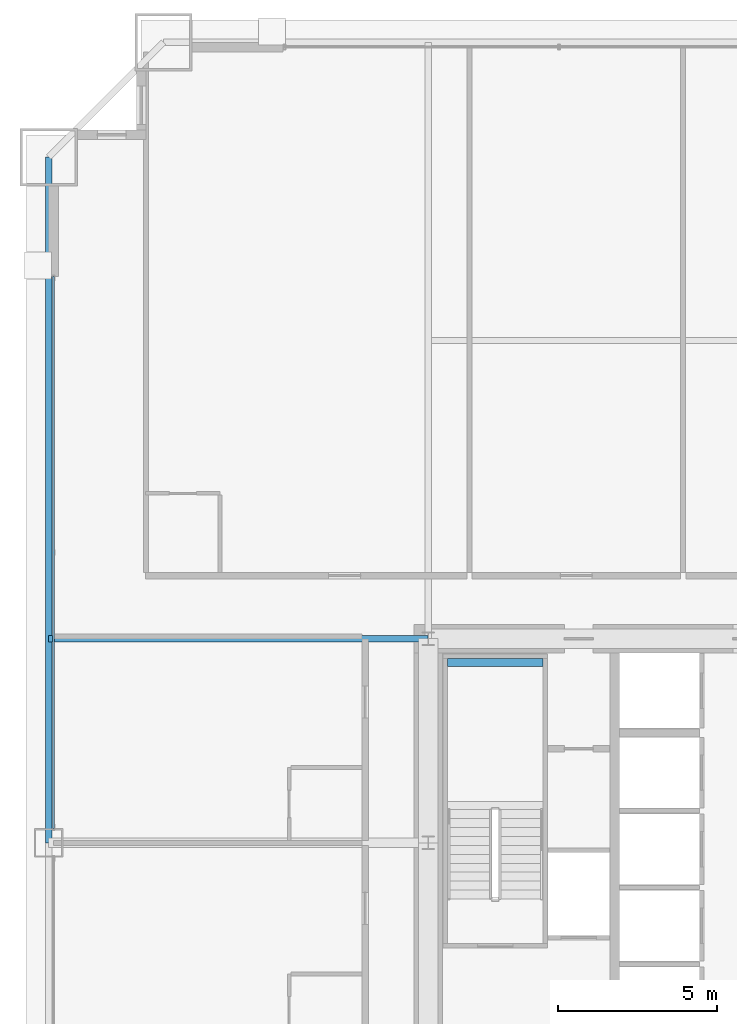
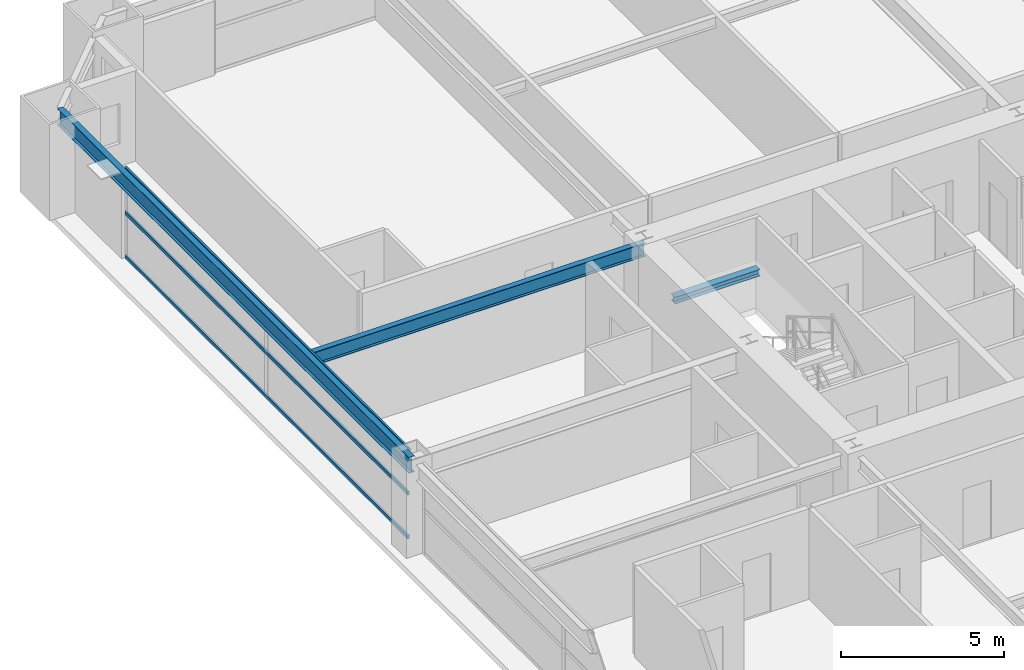
# One storey, part 23 of 43: 3 beams, 3 members, 1 element without a shape of its own.
"""IFC4 building model written with IfcOpenShell, lengths in metres."""

from ifc_helpers import new_model, si_unit, direction, frame, origin, origin_2d, place, context, subcontext, project, spatial, hollow_rectangle, i_section, extrude, source, transform, mapped, material, layer, layer_set, material_profile, profile_set, type_object, element, aggregate, save


model = new_model("IFC4")

# Units and contexts
model_context = context("Model", 3, precision=1e-05, world=origin(), true_north=direction((0.0, 1.0)))
body_context = subcontext(model_context, "Body", "Model", "MODEL_VIEW")
ifc_project = project(units=[si_unit("LENGTHUNIT", "METRE"), si_unit("AREAUNIT", "SQUARE_METRE"), si_unit("VOLUMEUNIT", "CUBIC_METRE"), si_unit("PLANEANGLEUNIT", "RADIAN"), si_unit("MASSUNIT", "GRAM", prefix="KILO"), si_unit("THERMODYNAMICTEMPERATUREUNIT", "KELVIN"), si_unit("POWERUNIT", "WATT")], contexts=[model_context])

# Site, building, storey
site_placement = place(None, origin())
site = spatial("IfcSite", under=ifc_project, at=site_placement, CompositionType="ELEMENT")
building_placement = place(site_placement, origin())
building = spatial("IfcBuilding", under=site, at=building_placement, Name="Yuzanri Waterfront Tower", CompositionType="ELEMENT")
storey_placement = place(building_placement, frame((0.0, 0.0, 64.0)))
storey = spatial("IfcBuildingStorey", under=building, at=storey_placement, Name="L16", CompositionType="ELEMENT", Elevation=64.0)

# Beams
ifc_material_1 = material(Name="Steel Q355B", Category="steel")
ifc_material_profile_1 = material_profile(ifc_material_1, i_section(OverallWidth=0.199951171875, OverallDepth=0.60009765625, WebThickness=0.010986328125, FlangeThickness=0.01708984375, at=origin_2d()), Name="HN 600x200x11x17")
ifc_profile_set_1 = profile_set([ifc_material_profile_1], Name="Steel Q355B")
beam_type_1 = type_object("IfcBeamType", Name="Perimeter Spandrel Q355B HN 600x200", PredefinedType="SPANDREL", material=ifc_profile_set_1)
shared_shape_1 = source(origin(), body_context, "Body", "SweptSolid", [
    extrude(i_section(OverallWidth=0.199951171875, OverallDepth=0.60009765625, WebThickness=0.010986328125, FlangeThickness=0.01708984375, at=origin_2d()), origin(), (0.0, 0.0, 1.0), 21.5),
])
beam_1_placement = place(storey_placement, frame((11.89990234375, 47.300048828125, 3.080078125), z_axis=(0.0, -1.0, 0.0), x_axis=(1.0, 0.0, 0.0)))
element("IfcBeam", 1, at=beam_1_placement, inside=storey, type_object=beam_type_1, Name="L16 Perimeter Spandrel W3-W2", PredefinedType="SPANDREL", context=body_context, shape_type="MappedRepresentation", body=[
    mapped(shared_shape_1, transform((0.0, 0.0, 0.0), scale=1.0)),
])
ifc_material_2 = material(Name="Steel Q355B", Category="steel")
ifc_material_profile_2 = material_profile(ifc_material_2, i_section(OverallWidth=0.199951171875, OverallDepth=0.5, WebThickness=0.010009765625, FlangeThickness=0.01611328125, at=origin_2d()), Name="HN 500x200x10x16")
ifc_profile_set_2 = profile_set([ifc_material_profile_2], Name="Steel Q355B")
beam_type_2 = type_object("IfcBeamType", Name="Secondary Floor Beam Q355B HN 500x200", PredefinedType="BEAM", material=ifc_profile_set_2)
shared_shape_2 = source(origin(), body_context, "Body", "SweptSolid", [
    extrude(i_section(OverallWidth=0.199951171875, OverallDepth=0.5, WebThickness=0.010009765625, FlangeThickness=0.01611328125, at=origin_2d()), origin(), (0.0, 0.0, 1.0), 11.900146484375),
])
beam_2_placement = place(storey_placement, frame((23.800048828125, 32.199951171875, 3.1298828125), z_axis=(-1.0, 0.0, 0.0), x_axis=(0.0, -1.0, 0.0)))
element("IfcBeam", 2, at=beam_2_placement, inside=storey, type_object=beam_type_2, Name="L16 West-North Core Line Beam", PredefinedType="BEAM", context=body_context, shape_type="MappedRepresentation", body=[
    mapped(shared_shape_2, transform((0.0, 0.0, 0.0), scale=1.0)),
])

# Curtain wall, members
ifc_material_3 = material(Name="Anodized Architectural Bronze", Category="metal")
ifc_layer = layer(ifc_material_3, 0.159912109375)
ifc_layer_set = layer_set([ifc_layer], Name="Anodized Architectural Bronze")
curtain_wall_type = type_object("IfcCurtainWallType", Name="Anodized Bronze Hotel Lower-Tier Recessed Unitized Curtain Wall 8100", PredefinedType="NOTDEFINED", material=ifc_layer_set)
curtain_wall_placement = place(storey_placement, origin())
curtain_wall = element("IfcCurtainWall", 3, at=curtain_wall_placement, inside=storey, type_object=curtain_wall_type, Name="L16 Curtain Wall CW-L16-WR", PredefinedType="NOTDEFINED")
ifc_material_4 = material(Name="Anodized Architectural Bronze", Category="metal")
ifc_material_profile_3 = material_profile(ifc_material_4, hollow_rectangle(XDim=0.070068359375, YDim=0.135009765625, WallThickness=0.00341796875, at=origin_2d()), Name="CWT 70x135")
ifc_profile_set_3 = profile_set([ifc_material_profile_3], Name="Anodized Architectural Bronze")
member_type = type_object("IfcMemberType", Name="Anodized Bronze Standard Curtain-Wall Transom 70x135", PredefinedType="USERDEFINED", material=ifc_profile_set_3)
shared_shape_3 = source(origin(), body_context, "Body", "SweptSolid", [
    extrude(hollow_rectangle(XDim=0.070068359375, YDim=0.135009765625, WallThickness=0.00341796875, at=origin_2d()), origin(), (0.0, 0.0, 1.0), 17.300048828125),
])
member_1_placement = place(storey_placement, frame((12.050048828125, 26.25, 0.050048828125), z_axis=(0.0, 1.0, 0.0), x_axis=(-1.0, 0.0, 0.0)))
member_1 = element("IfcMember", 4, at=member_1_placement, type_object=member_type, Name="CW-L16-WR Transom 1", ObjectType="TRANSOM", PredefinedType="USERDEFINED", context=body_context, shape_type="MappedRepresentation", body=[
    mapped(shared_shape_3, transform((0.0, 0.0, 0.0), scale=1.0)),
])
member_2_placement = place(storey_placement, frame((12.050048828125, 26.25, 1.68994140625), z_axis=(0.0, 1.0, 0.0), x_axis=(-1.0, 0.0, 0.0)))
member_2 = element("IfcMember", 5, at=member_2_placement, type_object=member_type, Name="CW-L16-WR Transom 2", ObjectType="TRANSOM", PredefinedType="USERDEFINED", context=body_context, shape_type="MappedRepresentation", body=[
    mapped(shared_shape_3, transform((0.0, 0.0, 0.0), scale=1.0)),
])
member_3_placement = place(storey_placement, frame((12.050048828125, 26.25, 3.330078125), z_axis=(0.0, 1.0, 0.0), x_axis=(-1.0, 0.0, 0.0)))
member_3 = element("IfcMember", 6, at=member_3_placement, type_object=member_type, Name="CW-L16-WR Transom 3", ObjectType="TRANSOM", PredefinedType="USERDEFINED", context=body_context, shape_type="MappedRepresentation", body=[
    mapped(shared_shape_3, transform((0.0, 0.0, 0.0), scale=1.0)),
])
aggregate(curtain_wall, [member_1, member_2, member_3])

# Beam
ifc_material_5 = material(Name="Steel Q355B", Category="steel")
ifc_material_profile_4 = material_profile(ifc_material_5, i_section(OverallWidth=0.25, OverallDepth=0.25, WebThickness=0.009033203125, FlangeThickness=0.013916015625, at=origin_2d()), Name="HW 250x250x9x14")
ifc_profile_set_4 = profile_set([ifc_material_profile_4], Name="Steel Q355B")
beam_type_3 = type_object("IfcBeamType", Name="Stair Landing Support Beam Q355B HW 250x250", PredefinedType="BEAM", material=ifc_profile_set_4)
shared_shape_4 = source(origin(), body_context, "Body", "SweptSolid", [
    extrude(i_section(OverallWidth=0.25, OverallDepth=0.25, WebThickness=0.009033203125, FlangeThickness=0.013916015625, at=origin_2d()), origin(), (0.0, 0.0, 1.0), 3.0),
])
beam_3_placement = place(storey_placement, frame((24.39990234375, 31.449951171875, 1.47509765625), z_axis=(1.0, 0.0, 0.0), x_axis=(0.0, 1.0, 0.0)))
element("IfcBeam", 7, at=beam_3_placement, inside=storey, type_object=beam_type_3, Name="L16 Stair Landing Support Beam ST-01-L16-L1-2", PredefinedType="BEAM", context=body_context, shape_type="MappedRepresentation", body=[
    mapped(shared_shape_4, transform((0.0, 0.0, 0.0), scale=1.0)),
])

save(model, "model.ifc")
